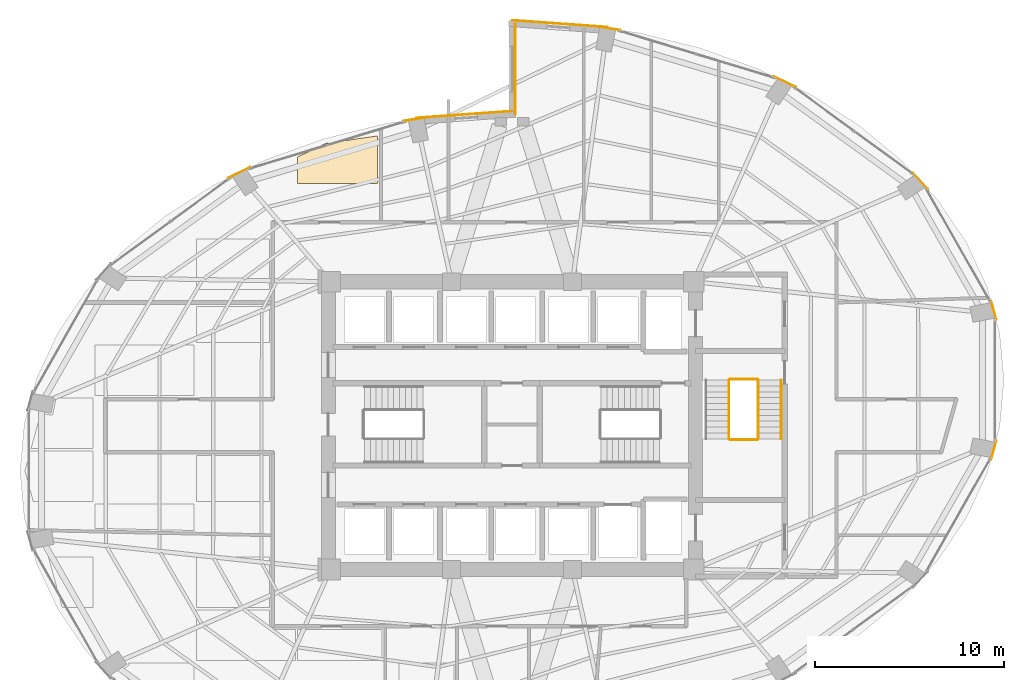
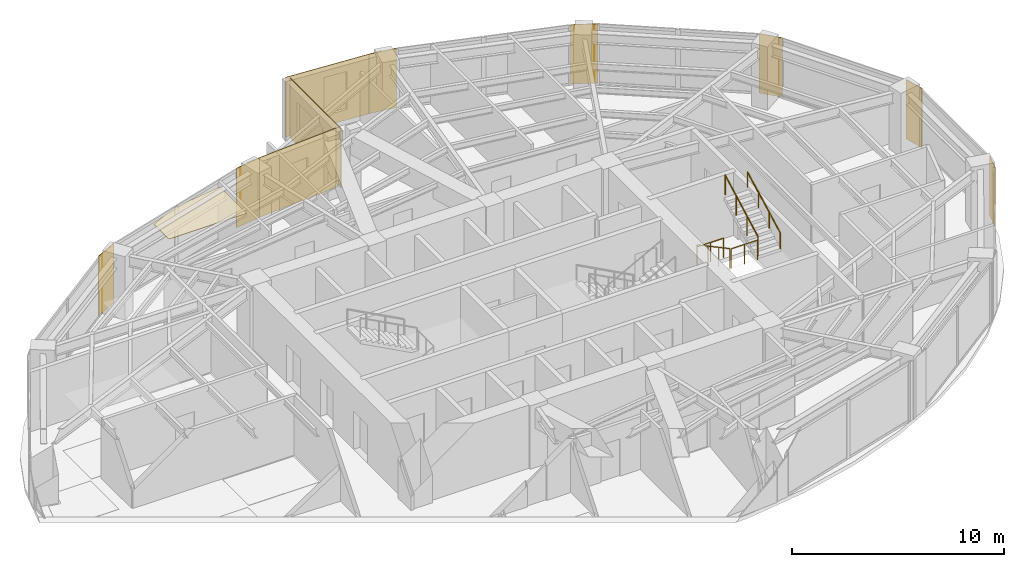
# One storey, part 23 of 23: 11 coverings, 5 railings.
"""IFC4 building model written with IfcOpenShell, lengths in metres."""

from ifc_helpers import new_model, si_unit, direction, frame, origin, origin_2d, place, context, subcontext, project, spatial, polyline, rectangle, circle, outline, extrude, material, layer, layer_set, type_object, element, save


model = new_model("IFC4")

# Units and contexts
model_context = context("Model", 3, precision=1e-05, world=origin(), true_north=direction((0.0, 1.0)))
body_context = subcontext(model_context, "Body", "Model", "MODEL_VIEW")
ifc_project = project(units=[si_unit("LENGTHUNIT", "METRE"), si_unit("AREAUNIT", "SQUARE_METRE"), si_unit("VOLUMEUNIT", "CUBIC_METRE"), si_unit("PLANEANGLEUNIT", "RADIAN"), si_unit("MASSUNIT", "GRAM", prefix="KILO")], contexts=[model_context])

# Site, building, storey
site_placement = place(None, origin())
site = spatial("IfcSite", under=ifc_project, at=site_placement, CompositionType="ELEMENT")
building_placement = place(site_placement, origin())
building = spatial("IfcBuilding", under=site, at=building_placement, Name="Lazwardi Medical Tower", CompositionType="ELEMENT")
storey_placement = place(building_placement, frame((0.0, 0.0, 85.39208984375)))
storey = spatial("IfcBuildingStorey", under=building, at=storey_placement, Name="L21", CompositionType="ELEMENT", Elevation=85.39208984375)

# Coverings
ifc_material_1 = material(Name="Anodised bronze aluminium cassette cladding", Category="aluminium")
ifc_layer_1 = layer(ifc_material_1, 0.030029296875)
ifc_layer_set_1 = layer_set([ifc_layer_1], Name="Anodised bronze aluminium cassette cladding")
covering_type_1 = type_object("IfcCoveringType", Name="COV-CLD-BRZ", PredefinedType="CLADDING", material=ifc_layer_set_1)
for number, where, z_axis, x_axis, name in (
    (1, (61.459716796875, 26.700927734375, 0.0), (0.0, 0.0, 1.0), (0.262696108164, 0.964878621774, 0.0), "L21 Mega-column bronze cassette cover M04"),
    (2, (61.459716796875, 34.09912109375, 0.0), (0.0, 0.0, 1.0), (-0.262696108164, 0.964878621774, 0.0), "L21 Mega-column bronze cassette cover M05"),
):
    element("IfcCovering", number, at=place(storey_placement, frame(where, z_axis=z_axis, x_axis=x_axis)), inside=storey, type_object=covering_type_1, Name=name, PredefinedType="CLADDING", context=body_context, shape_type="SweptSolid", body=[
        extrude(rectangle(XDim=1.04296875, YDim=0.030029296875, at=origin_2d()), origin(), (0.0, 0.0, 1.0), 3.427978515625),
    ])
covering_1_placement = place(storey_placement, frame((57.583740234375, 40.93408203125, 0.0), z_axis=(0.0, 0.0, 1.0), x_axis=(-0.674925949214, 0.737885467453, 0.0)))
element("IfcCovering", 3, at=covering_1_placement, inside=storey, type_object=covering_type_1, Name="L21 Mega-column bronze cassette cover M06", PredefinedType="CLADDING", context=body_context, shape_type="SweptSolid", body=[
    extrude(rectangle(XDim=1.15625, YDim=0.030029296875, at=origin_2d()), origin(), (0.0, 0.0, 1.0), 3.427978515625),
])
covering_2_placement = place(storey_placement, frame((50.421875, 46.16552734375, 0.0), z_axis=(0.0, 0.0, 1.0), x_axis=(-0.898679250201, 0.438606435495, 0.0)))
element("IfcCovering", 4, at=covering_2_placement, inside=storey, type_object=covering_type_1, Name="L21 Mega-column bronze cassette cover M07", PredefinedType="CLADDING", context=body_context, shape_type="SweptSolid", body=[
    extrude(rectangle(XDim=1.2998046875, YDim=0.030029296875, at=origin_2d()), origin(), (0.0, 0.0, 1.0), 3.427978515625),
])
for number, where, z_axis, x_axis, name in (
    (5, (41.064208984375, 48.99658203125, 0.0), (0.0, 0.0, 1.0), (-0.989609019093, 0.143784523955, 0.0), "L21 Mega-column bronze cassette cover M08"),
    (6, (30.935791015625, 44.19677734375, 0.0), (0.0, 0.0, 1.0), (-0.989609019093, -0.143784523955, 0.0), "L21 Mega-column bronze cassette cover M09"),
):
    element("IfcCovering", number, at=place(storey_placement, frame(where, z_axis=z_axis, x_axis=x_axis)), inside=storey, type_object=covering_type_1, Name=name, PredefinedType="CLADDING", context=body_context, shape_type="SweptSolid", body=[
        extrude(rectangle(XDim=1.392333984375, YDim=0.030029296875, at=origin_2d()), origin(), (0.0, 0.0, 1.0), 3.427978515625),
    ])
covering_3_placement = place(storey_placement, frame((21.578125, 41.365478515625, 0.0), z_axis=(0.0, 0.0, 1.0), x_axis=(-0.898679250201, -0.438606435495, 0.0)))
element("IfcCovering", 7, at=covering_3_placement, inside=storey, type_object=covering_type_1, Name="L21 Mega-column bronze cassette cover M10", PredefinedType="CLADDING", context=body_context, shape_type="SweptSolid", body=[
    extrude(rectangle(XDim=1.2998046875, YDim=0.030029296875, at=origin_2d()), origin(), (0.0, 0.0, 1.0), 3.427978515625),
])
ifc_material_2 = material(Name="Turquoise glazed ceramic tilework cladding", Category="masonry")
ifc_layer_2 = layer(ifc_material_2, 0.034912109375)
ifc_layer_set_2 = layer_set([ifc_layer_2], Name="Turquoise glazed ceramic tilework cladding")
covering_type_2 = type_object("IfcCoveringType", Name="COV-CLD-TRQ", PredefinedType="CLADDING", material=ifc_layer_set_2)
covering_4_placement = place(storey_placement, frame((38.533203125, 49.23388671875, 0.0), z_axis=(0.0, 0.0, 1.0), x_axis=(-0.997431665415, 0.07162452672, 0.0)))
element("IfcCovering", 8, at=covering_4_placement, inside=storey, type_object=covering_type_2, Name="L21 Turquoise glazed ceramic tilework cladding", PredefinedType="CLADDING", context=body_context, shape_type="SweptSolid", body=[
    extrude(rectangle(XDim=5.05419921875, YDim=0.034912109375, at=origin_2d()), origin(), (0.0, 0.0, 1.0), 3.427978515625),
])
covering_5_placement = place(storey_placement, frame((33.466552734375, 44.43408203125, 0.0), z_axis=(0.0, 0.0, 1.0), x_axis=(-0.997431165357, -0.071631490105, 0.0)))
element("IfcCovering", 9, at=covering_5_placement, inside=storey, type_object=covering_type_2, Name="L21 Turquoise glazed ceramic tilework cladding", PredefinedType="CLADDING", context=body_context, shape_type="SweptSolid", body=[
    extrude(rectangle(XDim=5.0537109375, YDim=0.034912109375, at=origin_2d()), origin(), (0.0, 0.0, 1.0), 3.427978515625),
])
covering_6_placement = place(storey_placement, frame((36.175537109375, 46.840087890625, 0.0), z_axis=(0.0, 0.0, 1.0), x_axis=(0.0, -1.0, 0.0)))
element("IfcCovering", 10, at=covering_6_placement, inside=storey, type_object=covering_type_2, Name="L21 Turquoise glazed ceramic tilework iwan panel", PredefinedType="CLADDING", context=body_context, shape_type="SweptSolid", body=[
    extrude(rectangle(XDim=4.800048828125, YDim=0.034912109375, at=origin_2d()), origin(), (0.0, 0.0, 1.0), 3.427978515625),
])
ifc_material_3 = material(Name="Acoustic mineral fibre tile")
ifc_layer_3 = layer(ifc_material_3, 0.02490234375)
ifc_layer_set_3 = layer_set([ifc_layer_3], Name="Acoustic mineral fibre tile")
covering_type_3 = type_object("IfcCoveringType", Name="COV-CLG-01", PredefinedType="CEILING", material=ifc_layer_set_3)
covering_7_placement = place(storey_placement, frame((0.0, 0.0, 3.282958984375)))
element("IfcCovering", 11, at=covering_7_placement, inside=storey, type_object=covering_type_3, Name="L21 Clinical Acoustic Ceiling 10", PredefinedType="CEILING", context=body_context, shape_type="SweptSolid", body=[
    extrude(outline(polyline([(28.905029296875, 40.782470703125), (28.905029296875, 43.310546875), (26.142822265625, 42.909912109375), (24.6728515625, 42.194091796875), (24.6728515625, 40.782470703125), (28.905029296875, 40.782470703125)])), origin(), (0.0, 0.0, 1.0), 0.02490234375),
])

# Railings
ifc_material_4 = material(Name="Stainless steel Grade 316", Category="steel")
railing_type_1 = type_object("IfcRailingType", Name="RLG-GRD-1150", PredefinedType="GUARDRAIL", material=ifc_material_4)
railing_1_placement = place(storey_placement, frame((47.469970703125, 30.39990234375, 0.165771484375)))
element("IfcRailing", 12, at=railing_1_placement, inside=storey, type_object=railing_type_1, Name="L21 ST3 stair guard 1", PredefinedType="GUARDRAIL", context=body_context, shape_type="SweptSolid", body=[
    extrude(circle(Radius=0.02392578125, at=origin_2d()), frame((0.0, 0.0, 1.1259765625), z_axis=(0.0, -0.881767849116, 0.471683644262), x_axis=(1.0, 0.0, 0.0)), (0.0, 0.0, 1.0), 3.515380859375),
    extrude(circle(Radius=0.02099609375, at=origin_2d()), origin(), (0.0, 0.0, 1.0), 1.099853515625),
    extrude(circle(Radius=0.02099609375, at=origin_2d()), frame((0.0, -1.033203125, 0.552734375)), (0.0, 0.0, 1.0), 1.099853515625),
    extrude(circle(Radius=0.02099609375, at=origin_2d()), frame((0.0, -2.066650390625, 1.10546875)), (0.0, 0.0, 1.0), 1.099853515625),
    extrude(circle(Radius=0.02099609375, at=origin_2d()), frame((0.0, -3.099853515625, 1.658203125)), (0.0, 0.0, 1.0), 1.099853515625),
])
railing_2_placement = place(storey_placement, frame((47.52001953125, 27.25, 1.823974609375)))
element("IfcRailing", 13, at=railing_2_placement, inside=storey, type_object=railing_type_1, Name="L21 ST3 stair guard 2", PredefinedType="GUARDRAIL", context=body_context, shape_type="SweptSolid", body=[
    extrude(circle(Radius=0.02392578125, at=origin_2d()), frame((0.0, 0.0, 1.1259765625), z_axis=(1.0, 0.0, 0.0), x_axis=(0.0, 1.0, 0.0)), (0.0, 0.0, 1.0), 1.43994140625),
    extrude(circle(Radius=0.02099609375, at=origin_2d()), origin(), (0.0, 0.0, 1.0), 1.099853515625),
    extrude(circle(Radius=0.02099609375, at=origin_2d()), frame((0.719970703125, 0.0, 0.0)), (0.0, 0.0, 1.0), 1.099853515625),
    extrude(circle(Radius=0.02099609375, at=origin_2d()), frame((1.43994140625, 0.0, 0.0)), (0.0, 0.0, 1.0), 1.099853515625),
])
railing_3_placement = place(storey_placement, frame((49.010009765625, 27.300048828125, 1.98974609375)))
element("IfcRailing", 14, at=railing_3_placement, inside=storey, type_object=railing_type_1, Name="L21 ST3 stair guard 3", PredefinedType="GUARDRAIL", context=body_context, shape_type="SweptSolid", body=[
    extrude(circle(Radius=0.02392578125, at=origin_2d()), frame((0.0, 0.0, 1.1259765625), z_axis=(0.0, 0.881767849116, 0.471683644262), x_axis=(-1.0, 0.0, 0.0)), (0.0, 0.0, 1.0), 3.515380859375),
    extrude(circle(Radius=0.02099609375, at=origin_2d()), origin(), (0.0, 0.0, 1.0), 1.099853515625),
    extrude(circle(Radius=0.02099609375, at=origin_2d()), frame((0.0, 1.033203125, 0.552734375)), (0.0, 0.0, 1.0), 1.099853515625),
    extrude(circle(Radius=0.02099609375, at=origin_2d()), frame((0.0, 2.066650390625, 1.10546875)), (0.0, 0.0, 1.0), 1.099853515625),
    extrude(circle(Radius=0.02099609375, at=origin_2d()), frame((0.0, 3.099853515625, 1.658203125)), (0.0, 0.0, 1.0), 1.099853515625),
])
railing_4_placement = place(storey_placement, frame((47.52001953125, 30.449951171875, 0.0)))
element("IfcRailing", 15, at=railing_4_placement, inside=storey, type_object=railing_type_1, Name="L21 ST3 stair guard 4", PredefinedType="GUARDRAIL", context=body_context, shape_type="SweptSolid", body=[
    extrude(circle(Radius=0.02392578125, at=origin_2d()), frame((0.0, 0.0, 1.1259765625), z_axis=(1.0, 0.0, 0.0), x_axis=(0.0, 1.0, 0.0)), (0.0, 0.0, 1.0), 1.43994140625),
    extrude(circle(Radius=0.02099609375, at=origin_2d()), origin(), (0.0, 0.0, 1.0), 1.099853515625),
    extrude(circle(Radius=0.02099609375, at=origin_2d()), frame((0.719970703125, 0.0, 0.0)), (0.0, 0.0, 1.0), 1.099853515625),
    extrude(circle(Radius=0.02099609375, at=origin_2d()), frame((1.43994140625, 0.0, 0.0)), (0.0, 0.0, 1.0), 1.099853515625),
])
railing_type_2 = type_object("IfcRailingType", Name="RLG-HND-920", PredefinedType="HANDRAIL", material=ifc_material_4)
railing_5_placement = place(storey_placement, frame((50.22998046875, 27.300048828125, 1.98974609375)))
element("IfcRailing", 16, at=railing_5_placement, inside=storey, type_object=railing_type_2, Name="L21 ST3 stair handrail 2", PredefinedType="HANDRAIL", context=body_context, shape_type="SweptSolid", body=[
    extrude(circle(Radius=0.02392578125, at=origin_2d()), frame((0.0, 0.0, 0.8857421875), z_axis=(0.0, 0.881767849116, 0.471683644262), x_axis=(-1.0, 0.0, 0.0)), (0.0, 0.0, 1.0), 3.515380859375),
    extrude(circle(Radius=0.02099609375, at=origin_2d()), origin(), (0.0, 0.0, 1.0), 0.85986328125),
    extrude(circle(Radius=0.02099609375, at=origin_2d()), frame((0.0, 1.033203125, 0.552734375)), (0.0, 0.0, 1.0), 0.85986328125),
    extrude(circle(Radius=0.02099609375, at=origin_2d()), frame((0.0, 2.066650390625, 1.10546875)), (0.0, 0.0, 1.0), 0.85986328125),
    extrude(circle(Radius=0.02099609375, at=origin_2d()), frame((0.0, 3.099853515625, 1.658203125)), (0.0, 0.0, 1.0), 0.85986328125),
])

save(model, "model.ifc")
